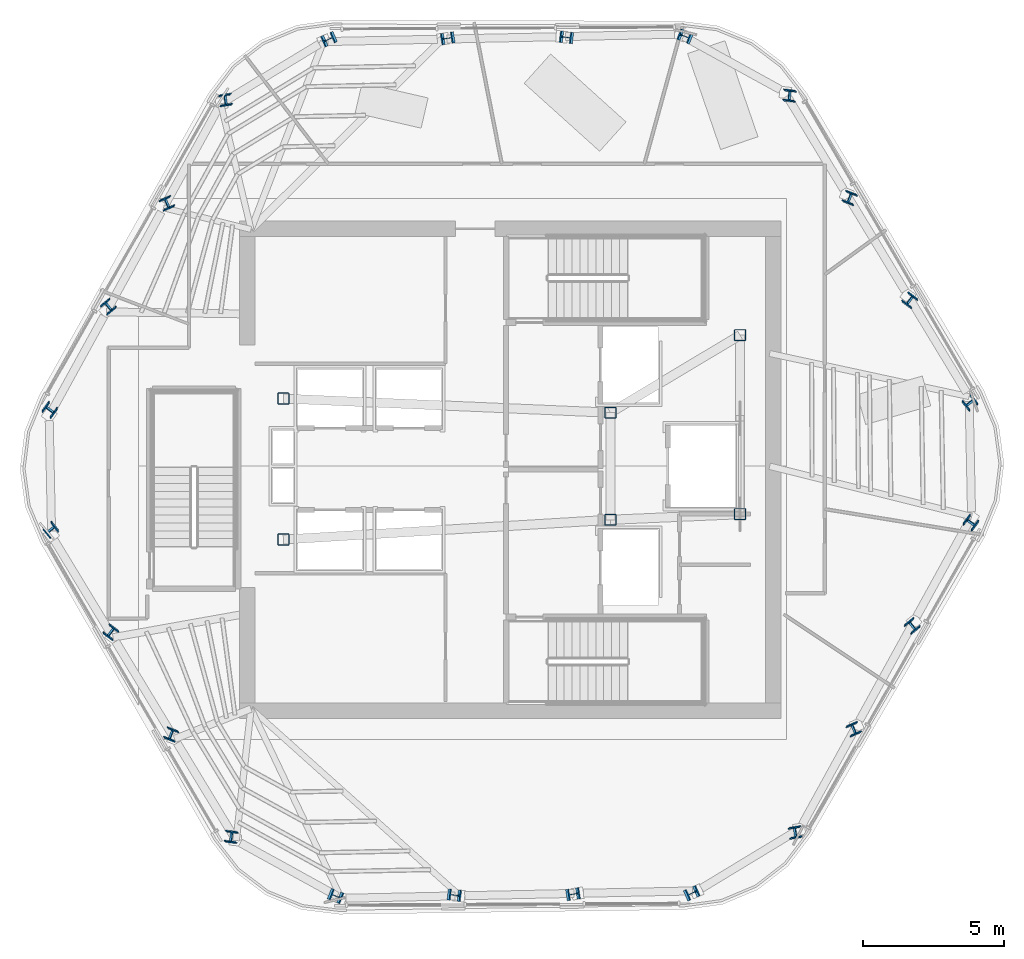
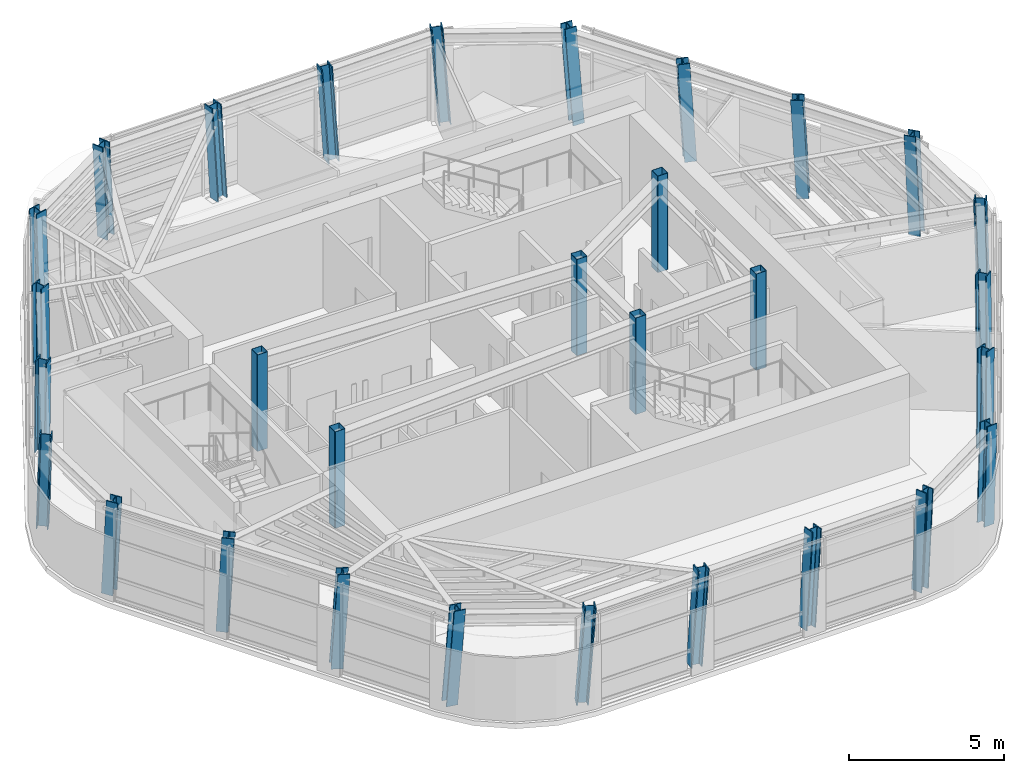
# One storey, part 1 of 13: 30 columns.
"""IFC4 building model written with IfcOpenShell, lengths in metres."""

from ifc_helpers import new_model, si_unit, direction, frame, origin, origin_2d, place, context, subcontext, project, spatial, hollow_rectangle, i_section, extrude, material, material_profile, profile_set, type_object, element, save


model = new_model("IFC4")

# Units and contexts
model_context = context("Model", 3, precision=1e-05, world=origin(), true_north=direction((0.0, 1.0)))
body_context = subcontext(model_context, "Body", "Model", "MODEL_VIEW")
ifc_project = project(units=[si_unit("LENGTHUNIT", "METRE"), si_unit("AREAUNIT", "SQUARE_METRE"), si_unit("VOLUMEUNIT", "CUBIC_METRE"), si_unit("PLANEANGLEUNIT", "RADIAN"), si_unit("MASSUNIT", "GRAM", prefix="KILO")], contexts=[model_context])

# Site, building, storey
site_placement = place(None, origin())
site = spatial("IfcSite", under=ifc_project, at=site_placement, CompositionType="ELEMENT")
building_placement = place(site_placement, origin())
building = spatial("IfcBuilding", under=site, at=building_placement, Name="Valkerne Bourse Tower", CompositionType="ELEMENT")
storey_placement = place(building_placement, frame((0.0, 0.0, 285.0)))
storey = spatial("IfcBuildingStorey", under=building, at=storey_placement, Name="L72", CompositionType="ELEMENT", Elevation=285.0)

# Columns
ifc_material_1 = material(Name="Steel ASTM A500 Grade C", Category="steel")
ifc_material_profile_1 = material_profile(ifc_material_1, hollow_rectangle(XDim=0.39990234375, YDim=0.39990234375, WallThickness=0.01611328125, OuterFilletRadius=0.031982421875, at=origin_2d()), Name="HSS400X400X16")
ifc_profile_set_1 = profile_set([ifc_material_profile_1], Name="Steel ASTM A500 Grade C")
column_type_1 = type_object("IfcColumnType", Name="COL-HSS400X400X16", PredefinedType="COLUMN", material=ifc_profile_set_1)
for number, where, z_axis, x_axis, name in (
    (1, (38.75, 24.39990234375, 0.0048828125), (0.0, 0.0, 1.0), (1.0, 0.0, 0.0), "L72 Core Frame Column CC-SW"),
    (2, (38.75, 29.39990234375, 0.0048828125), (0.0, 0.0, 1.0), (1.0, 0.0, 0.0), "L72 Core Frame Column CC-NW"),
    (3, (50.35009765625, 25.10009765625, 0.0048828125), (0.0, 0.0, 1.0), (1.0, 0.0, 0.0), "L72 Core Frame Column CC-CE1"),
    (4, (50.35009765625, 28.89990234375, 0.0048828125), (0.0, 0.0, 1.0), (1.0, 0.0, 0.0), "L72 Core Frame Column CC-CE2"),
    (5, (54.949951171875, 25.300048828125, 0.0048828125), (0.0, 0.0, 1.0), (1.0, 0.0, 0.0), "L72 Core Frame Column CC-SE"),
    (6, (54.949951171875, 31.64990234375, 0.0048828125), (0.0, 0.0, 1.0), (1.0, 0.0, 0.0), "L72 Core Frame Column CC-NE"),
):
    element("IfcColumn", number, at=place(storey_placement, frame(where, z_axis=z_axis, x_axis=x_axis)), inside=storey, type_object=column_type_1, Name=name, PredefinedType="COLUMN", context=body_context, shape_type="SweptSolid", body=[
        extrude(hollow_rectangle(XDim=0.39990234375, YDim=0.39990234375, WallThickness=0.01611328125, OuterFilletRadius=0.031982421875, at=origin_2d()), origin(), (0.0, 0.0, 1.0), 3.795166015625),
    ])
ifc_material_2 = material(Name="Steel ASTM A913 Grade 65", Category="steel")
ifc_material_profile_2 = material_profile(ifc_material_2, i_section(OverallWidth=0.4013671875, OverallDepth=0.398681640625, WebThickness=0.02490234375, FlangeThickness=0.03955078125, FilletRadius=0.025390625, at=origin_2d()), Name="W14X211")
ifc_profile_set_2 = profile_set([ifc_material_profile_2], Name="Steel ASTM A913 Grade 65")
column_type_2 = type_object("IfcColumnType", Name="COL-W14X211", PredefinedType="COLUMN", material=ifc_profile_set_2)
column_1_placement = place(storey_placement, frame((53.038330078125, 42.231689453125, 0.010009765625), z_axis=(-0.063324812871, 0.025317041158, 0.997671797487), x_axis=(0.366372227758, 0.930468303178, -0.000357082925)))
element("IfcColumn", 7, at=column_1_placement, inside=storey, type_object=column_type_2, Name="L72 Helical Perimeter Tube Column F1-C1", PredefinedType="COLUMN", context=body_context, shape_type="SweptSolid", body=[
    extrude(i_section(OverallWidth=0.4013671875, OverallDepth=0.398681640625, WebThickness=0.02490234375, FlangeThickness=0.03955078125, FilletRadius=0.025390625, at=origin_2d()), origin(), (0.0, 0.0, 1.0), 3.789794921875),
])
for number, where, z_axis, x_axis, name in (
    (8, (48.826416015625, 42.209716796875, 0.010009765625), (-0.063150615504, 0.007861607236, 0.99797304317), (0.118349193839, 0.992971982128, -0.00033320668), "L72 Helical Perimeter Tube Column F1-C2"),
    (9, (44.614501953125, 42.1875, 0.010009765625), (-0.062892962875, -0.009537047649, 0.99797470907), (-0.155089655493, 0.987900343063, -0.000333069864), "L72 Helical Perimeter Tube Column F1-C3"),
):
    element("IfcColumn", number, at=place(storey_placement, frame(where, z_axis=z_axis, x_axis=x_axis)), inside=storey, type_object=column_type_2, Name=name, PredefinedType="COLUMN", context=body_context, shape_type="SweptSolid", body=[
        extrude(i_section(OverallWidth=0.4013671875, OverallDepth=0.398681640625, WebThickness=0.02490234375, FlangeThickness=0.03955078125, FilletRadius=0.025390625, at=origin_2d()), origin(), (0.0, 0.0, 1.0), 3.78857421875),
    ])
for number, where, z_axis, x_axis, name in (
    (10, (40.402587890625, 42.16552734375, 0.010009765625), (-0.062680302379, -0.027056245631, 0.997666847834), (-0.401100066753, 0.916034174402, -0.000357461852), "L72 Helical Perimeter Tube Column F1-C4"),
    (11, (36.728271484375, 40.018310546875, 0.010009765625), (-0.053661723525, -0.042130572852, 0.997670002686), (-0.987588561703, -0.145454001515, -0.059261844701), "L72 Helical Perimeter Tube Column F2-C1"),
):
    element("IfcColumn", number, at=place(storey_placement, frame(where, z_axis=z_axis, x_axis=x_axis)), inside=storey, type_object=column_type_2, Name=name, PredefinedType="COLUMN", context=body_context, shape_type="SweptSolid", body=[
        extrude(i_section(OverallWidth=0.4013671875, OverallDepth=0.398681640625, WebThickness=0.02490234375, FlangeThickness=0.03955078125, FilletRadius=0.025390625, at=origin_2d()), origin(), (0.0, 0.0, 1.0), 3.789794921875),
    ])
for number, where, z_axis, x_axis, name in (
    (12, (34.641357421875, 36.359619140625, 0.010009765625), (-0.038405940269, -0.050713884214, 0.997974491508), (-0.918326477129, -0.391947701565, -0.055258308355), "L72 Helical Perimeter Tube Column F2-C2"),
    (13, (32.554443359375, 32.700927734375, 0.010009765625), (-0.023133834357, -0.059220038367, 0.997976859834), (-0.776920486565, -0.627171941003, -0.055226026245), "L72 Helical Perimeter Tube Column F2-C3"),
):
    element("IfcColumn", number, at=place(storey_placement, frame(where, z_axis=z_axis, x_axis=x_axis)), inside=storey, type_object=column_type_2, Name=name, PredefinedType="COLUMN", context=body_context, shape_type="SweptSolid", body=[
        extrude(i_section(OverallWidth=0.4013671875, OverallDepth=0.398681640625, WebThickness=0.02490234375, FlangeThickness=0.03955078125, FilletRadius=0.025390625, at=origin_2d()), origin(), (0.0, 0.0, 1.0), 3.78857421875),
    ])
for number, where, z_axis, x_axis, name in (
    (14, (30.467529296875, 29.042236328125, 0.010009765625), (-0.0079236361, -0.067769635584, 0.997669530698), (-0.592744760166, -0.803206681041, -0.059267839734), "L72 Helical Perimeter Tube Column F2-C4"),
    (15, (30.489990234375, 24.78662109375, 0.010009765625), (0.009662991485, -0.067512100509, 0.997671660859), (0.621483873959, -0.781210922901, -0.058883684916), "L72 Helical Perimeter Tube Column F3-C1"),
):
    element("IfcColumn", number, at=place(storey_placement, frame(where, z_axis=z_axis, x_axis=x_axis)), inside=storey, type_object=column_type_2, Name=name, PredefinedType="COLUMN", context=body_context, shape_type="SweptSolid", body=[
        extrude(i_section(OverallWidth=0.4013671875, OverallDepth=0.398681640625, WebThickness=0.02490234375, FlangeThickness=0.03955078125, FilletRadius=0.025390625, at=origin_2d()), origin(), (0.0, 0.0, 1.0), 3.789794921875),
    ])
for number, where, z_axis, x_axis, name in (
    (16, (32.614990234375, 21.150146484375, 0.010009765625), (0.024680316934, -0.058639917519, 0.997974068816), (0.799270213075, -0.59845611177, -0.054930945523), "L72 Helical Perimeter Tube Column F3-C2"),
    (17, (34.739990234375, 17.513427734375, 0.010009765625), (0.039694786912, -0.049682923229, 0.99797591706), (0.932010513839, -0.358248158812, -0.054905908631), "L72 Helical Perimeter Tube Column F3-C3"),
):
    element("IfcColumn", number, at=place(storey_placement, frame(where, z_axis=z_axis, x_axis=x_axis)), inside=storey, type_object=column_type_2, Name=name, PredefinedType="COLUMN", context=body_context, shape_type="SweptSolid", body=[
        extrude(i_section(OverallWidth=0.4013671875, OverallDepth=0.398681640625, WebThickness=0.02490234375, FlangeThickness=0.03955078125, FilletRadius=0.025390625, at=origin_2d()), origin(), (0.0, 0.0, 1.0), 3.78857421875),
    ])
for number, where, z_axis, x_axis, name in (
    (18, (36.864990234375, 13.876953125, 0.010009765625), (0.05475668077, -0.040777622267, 0.997666723627), (0.992200205572, -0.109836787709, -0.05894601029), "L72 Helical Perimeter Tube Column F3-C4"),
    (19, (40.561767578125, 11.768310546875, 0.010009765625), (0.063324812871, -0.025317041158, 0.997671797487), (0.366372227758, 0.930468303178, 0.000357082925), "L72 Helical Perimeter Tube Column F4-C1"),
):
    element("IfcColumn", number, at=place(storey_placement, frame(where, z_axis=z_axis, x_axis=x_axis)), inside=storey, type_object=column_type_2, Name=name, PredefinedType="COLUMN", context=body_context, shape_type="SweptSolid", body=[
        extrude(i_section(OverallWidth=0.4013671875, OverallDepth=0.398681640625, WebThickness=0.02490234375, FlangeThickness=0.03955078125, FilletRadius=0.025390625, at=origin_2d()), origin(), (0.0, 0.0, 1.0), 3.789794921875),
    ])
for number, where, z_axis, x_axis, name in (
    (20, (44.773681640625, 11.790283203125, 0.010009765625), (0.063086432693, -0.007861639212, 0.997977102262), (0.11847350938, 0.992957157571, 0.000332873219), "L72 Helical Perimeter Tube Column F4-C2"),
    (21, (48.985595703125, 11.8125, 0.010009765625), (0.062892962875, 0.009537047649, 0.99797470907), (-0.155089655493, 0.987900343063, 0.000333069864), "L72 Helical Perimeter Tube Column F4-C3"),
):
    element("IfcColumn", number, at=place(storey_placement, frame(where, z_axis=z_axis, x_axis=x_axis)), inside=storey, type_object=column_type_2, Name=name, PredefinedType="COLUMN", context=body_context, shape_type="SweptSolid", body=[
        extrude(i_section(OverallWidth=0.4013671875, OverallDepth=0.398681640625, WebThickness=0.02490234375, FlangeThickness=0.03955078125, FilletRadius=0.025390625, at=origin_2d()), origin(), (0.0, 0.0, 1.0), 3.78857421875),
    ])
for number, where, z_axis, x_axis, name in (
    (22, (53.197509765625, 11.83447265625, 0.010009765625), (0.062616135451, 0.027056354825, 0.997670874209), (-0.401442910811, 0.915883978351, 0.000357153639), "L72 Helical Perimeter Tube Column F4-C4"),
    (23, (56.871826171875, 13.981689453125, 0.010009765625), (0.053597488858, 0.042130718405, 0.997673449459), (-0.98750587116, -0.146032110849, 0.059218046445), "L72 Helical Perimeter Tube Column F5-C1"),
):
    element("IfcColumn", number, at=place(storey_placement, frame(where, z_axis=z_axis, x_axis=x_axis)), inside=storey, type_object=column_type_2, Name=name, PredefinedType="COLUMN", context=body_context, shape_type="SweptSolid", body=[
        extrude(i_section(OverallWidth=0.4013671875, OverallDepth=0.398681640625, WebThickness=0.02490234375, FlangeThickness=0.03955078125, FilletRadius=0.025390625, at=origin_2d()), origin(), (0.0, 0.0, 1.0), 3.789794921875),
    ])
for number, where, z_axis, x_axis, name in (
    (24, (58.958740234375, 17.640380859375, 0.010009765625), (0.038405940269, 0.050713884214, 0.997974491508), (-0.918326477129, -0.391947701565, 0.055258308355), "L72 Helical Perimeter Tube Column F5-C2"),
    (25, (61.04541015625, 21.299072265625, 0.010009765625), (0.023198239376, 0.059219949963, 0.997975370045), (-0.777511545942, -0.626437258111, 0.055246335426), "L72 Helical Perimeter Tube Column F5-C3"),
):
    element("IfcColumn", number, at=place(storey_placement, frame(where, z_axis=z_axis, x_axis=x_axis)), inside=storey, type_object=column_type_2, Name=name, PredefinedType="COLUMN", context=body_context, shape_type="SweptSolid", body=[
        extrude(i_section(OverallWidth=0.4013671875, OverallDepth=0.398681640625, WebThickness=0.02490234375, FlangeThickness=0.03955078125, FilletRadius=0.025390625, at=origin_2d()), origin(), (0.0, 0.0, 1.0), 3.78857421875),
    ])
for number, where, z_axis, x_axis, name in (
    (26, (63.13232421875, 24.957763671875, 0.010009765625), (0.007988051811, 0.067769600851, 0.997669019379), (-0.593497572559, -0.802650101063, 0.059274333655), "L72 Helical Perimeter Tube Column F5-C4"),
    (27, (63.110107421875, 29.21337890625, 0.010009765625), (-0.009662991485, 0.067512100509, 0.997671660859), (0.621483873959, -0.781210922901, 0.058883684916), "L72 Helical Perimeter Tube Column F6-C1"),
):
    element("IfcColumn", number, at=place(storey_placement, frame(where, z_axis=z_axis, x_axis=x_axis)), inside=storey, type_object=column_type_2, Name=name, PredefinedType="COLUMN", context=body_context, shape_type="SweptSolid", body=[
        extrude(i_section(OverallWidth=0.4013671875, OverallDepth=0.398681640625, WebThickness=0.02490234375, FlangeThickness=0.03955078125, FilletRadius=0.025390625, at=origin_2d()), origin(), (0.0, 0.0, 1.0), 3.789794921875),
    ])
for number, where, z_axis, x_axis, name in (
    (28, (60.985107421875, 32.849853515625, 0.010009765625), (-0.024744716999, 0.058639824138, 0.997972479583), (0.799827791887, -0.597708733379, 0.054952464613), "L72 Helical Perimeter Tube Column F6-C2"),
    (29, (58.860107421875, 36.486572265625, 0.010009765625), (-0.039759124718, 0.049682796042, 0.997973362259), (0.932292277023, -0.35750895115, 0.054940513738), "L72 Helical Perimeter Tube Column F6-C3"),
):
    element("IfcColumn", number, at=place(storey_placement, frame(where, z_axis=z_axis, x_axis=x_axis)), inside=storey, type_object=column_type_2, Name=name, PredefinedType="COLUMN", context=body_context, shape_type="SweptSolid", body=[
        extrude(i_section(OverallWidth=0.4013671875, OverallDepth=0.398681640625, WebThickness=0.02490234375, FlangeThickness=0.03955078125, FilletRadius=0.025390625, at=origin_2d()), origin(), (0.0, 0.0, 1.0), 3.78857421875),
    ])
column_2_placement = place(storey_placement, frame((56.73486328125, 40.123046875, 0.010009765625), z_axis=(-0.054692453955, 0.040777766023, 0.99767024075), x_axis=(0.992140534233, -0.110398186889, 0.05890161851)))
element("IfcColumn", 30, at=column_2_placement, inside=storey, type_object=column_type_2, Name="L72 Helical Perimeter Tube Column F6-C4", PredefinedType="COLUMN", context=body_context, shape_type="SweptSolid", body=[
    extrude(i_section(OverallWidth=0.4013671875, OverallDepth=0.398681640625, WebThickness=0.02490234375, FlangeThickness=0.03955078125, FilletRadius=0.025390625, at=origin_2d()), origin(), (0.0, 0.0, 1.0), 3.789794921875),
])

save(model, "model.ifc")
